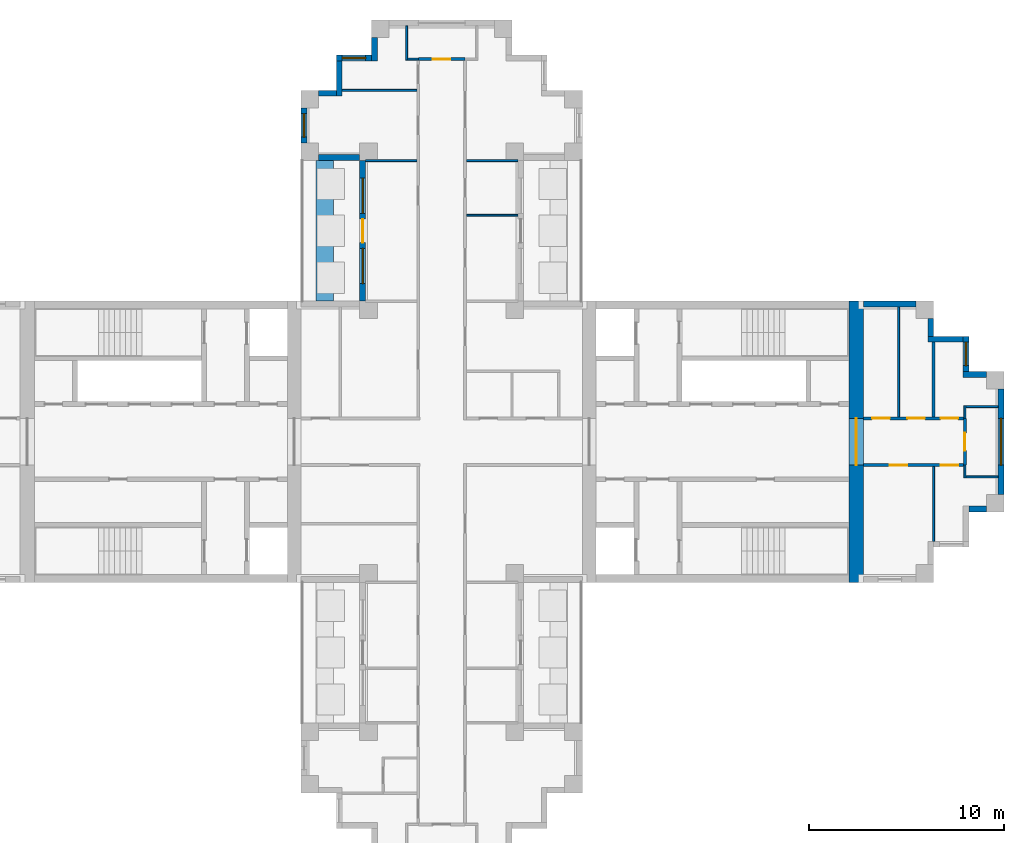
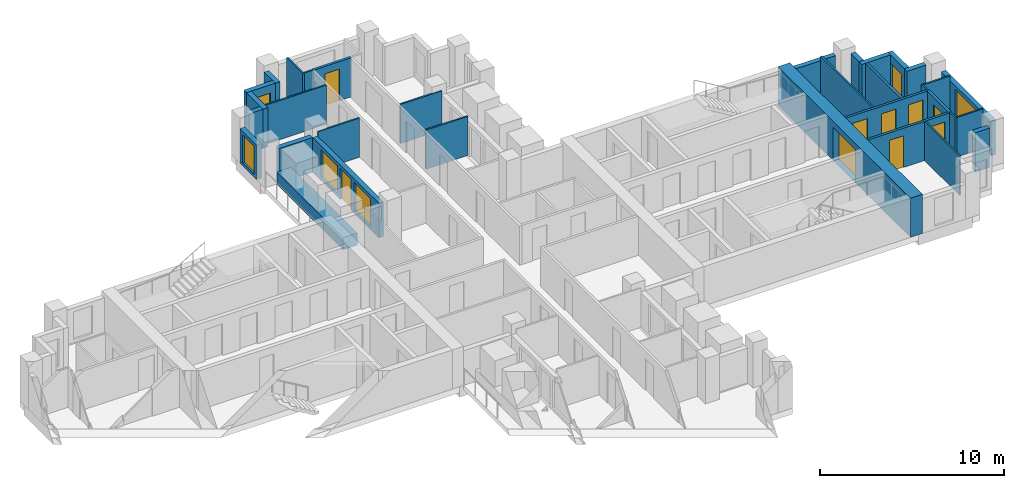
# One storey, part 6 of 9: 33 walls, 9 doors, 6 windows, 15 openings.
"""IFC4 building model written with IfcOpenShell, lengths in metres."""

from ifc_helpers import new_model, si_unit, direction, frame, frame_2d, origin, place, context, subcontext, project, spatial, rectangle, extrude, material, layer, layer_set, type_object, element, fill, save


model = new_model("IFC4")

# Units and contexts
model_context = context("Model", 3, precision=1e-05, world=origin(), true_north=direction((0.0, 1.0)))
body_context = subcontext(model_context, "Body", "Model", "MODEL_VIEW")
ifc_project = project(units=[si_unit("LENGTHUNIT", "METRE"), si_unit("AREAUNIT", "SQUARE_METRE"), si_unit("VOLUMEUNIT", "CUBIC_METRE"), si_unit("PLANEANGLEUNIT", "RADIAN"), si_unit("MASSUNIT", "GRAM", prefix="KILO")], contexts=[model_context])

# Site, building, storey
site_placement = place(None, origin())
site = spatial("IfcSite", under=ifc_project, at=site_placement, CompositionType="ELEMENT")
building_placement = place(site_placement, origin())
building = spatial("IfcBuilding", under=site, at=building_placement, Name="Fustian Cross Tower", CompositionType="ELEMENT")
storey_placement = place(building_placement, frame((0.0, 0.0, 216.89990234375)))
storey = spatial("IfcBuildingStorey", under=building, at=storey_placement, Name="L68", CompositionType="ELEMENT", Elevation=216.89990234375)

# Wall, opening, door
ifc_material_1 = material(Name="Plasterboard on steel stud", Category="steel")
ifc_layer_1 = layer(ifc_material_1, 0.14990234375)
ifc_layer_set_1 = layer_set([ifc_layer_1], Name="Plasterboard on steel stud")
wall_type_1 = type_object("IfcWallType", Name="COMPARTMENT WALL 150 EI 60", PredefinedType="PARTITIONING", material=ifc_layer_set_1)
wall_1_placement = place(storey_placement, frame((-1.199951171875, 19.60009765625, 0.0), z_axis=(0.0, 0.0, 1.0), x_axis=(1.0, 0.0, 0.0)))
wall_1 = element("IfcWall", 1, at=wall_1_placement, inside=storey, type_object=wall_type_1, Name="Partition 32", PredefinedType="PARTITIONING", context=body_context, shape_type="SweptSolid", body=[
    extrude(rectangle(XDim=2.39990234375, YDim=0.14990234375, at=frame_2d((1.199951171875, 0.0))), origin(), (0.0, 0.0, 1.0), 2.60009765625),
])
opening_1_placement = place(wall_1_placement, frame((0.75, 0.0, 0.0)))
opening_1 = element("IfcOpeningElement", 2, at=opening_1_placement, cuts=wall_1, Name="Opening D31015", PredefinedType="OPENING", context=body_context, shape_type="SweptSolid", body=[
    extrude(rectangle(XDim=0.89990234375, YDim=2.10009765625, at=frame_2d((0.449951171875, 1.050048828125))), frame((0.0, 0.0849609375, 0.0), z_axis=(0.0, -1.0, 0.0), x_axis=(1.0, 0.0, 0.0)), (0.0, 0.0, 1.0), 0.169921875),
])
ifc_material_2 = material(Name="Timber fire door set", Category="wood")
door_type_1 = type_object("IfcDoorType", Name="FIRE SWING DOOR 900 FD30S", OperationType="SINGLE_SWING_LEFT", PredefinedType="DOOR", material=ifc_material_2)
door_1_placement = place(opening_1_placement, origin())
door_1 = element("IfcDoor", 3, at=door_1_placement, inside=storey, type_object=door_type_1, Name="Door D31015", OperationType="SINGLE_SWING_LEFT", OverallHeight=2.10009765625, OverallWidth=0.89990234375, PredefinedType="DOOR", context=body_context, shape_type="SweptSolid", body=[
    extrude(rectangle(XDim=0.89990234375, YDim=2.10009765625, at=frame_2d((0.449951171875, 1.050048828125))), frame((0.0, 0.02490234375, 0.0), z_axis=(0.0, -1.0, 0.0), x_axis=(1.0, 0.0, 0.0)), (0.0, 0.0, 1.0), 0.050048828125),
])
fill(opening_1, door_1)

# Wall, openings, doors
wall_2_placement = place(storey_placement, frame((21.60009765625, -1.199951171875, 0.0), z_axis=(0.0, 0.0, 1.0), x_axis=(1.0, 0.0, 0.0)))
wall_2 = element("IfcWall", 4, at=wall_2_placement, inside=storey, type_object=wall_type_1, Name="Partition 50", PredefinedType="PARTITIONING", context=body_context, shape_type="SweptSolid", body=[
    extrude(rectangle(XDim=5.125, YDim=0.14990234375, at=frame_2d((2.5625, 0.0))), origin(), (0.0, 0.0, 1.0), 2.60009765625),
])
opening_2_placement = place(wall_2_placement, frame((1.35009765625, 0.0, 0.0)))
opening_2 = element("IfcOpeningElement", 5, at=opening_2_placement, cuts=wall_2, Name="Opening D31013", PredefinedType="OPENING", context=body_context, shape_type="SweptSolid", body=[
    extrude(rectangle(XDim=0.89990234375, YDim=2.10009765625, at=frame_2d((0.449951171875, 1.050048828125))), frame((0.0, 0.0849609375, 0.0), z_axis=(0.0, -1.0, 0.0), x_axis=(1.0, 0.0, 0.0)), (0.0, 0.0, 1.0), 0.169921875),
])
opening_3_placement = place(wall_2_placement, frame((3.949951171875, 0.0, 0.0)))
opening_3 = element("IfcOpeningElement", 6, at=opening_3_placement, cuts=wall_2, Name="Opening D31014", PredefinedType="OPENING", context=body_context, shape_type="SweptSolid", body=[
    extrude(rectangle(XDim=0.89990234375, YDim=2.10009765625, at=frame_2d((0.449951171875, 1.050048828125))), frame((0.0, 0.0849609375, 0.0), z_axis=(0.0, -1.0, 0.0), x_axis=(1.0, 0.0, 0.0)), (0.0, 0.0, 1.0), 0.169921875),
])
door_2_placement = place(opening_2_placement, frame((0.89990234375, 0.0, 0.0), z_axis=(0.0, 0.0, 1.0), x_axis=(-1.0, 0.0, 0.0)))
door_2 = element("IfcDoor", 7, at=door_2_placement, inside=storey, type_object=door_type_1, Name="Door D31013", OperationType="SINGLE_SWING_RIGHT", OverallHeight=2.10009765625, OverallWidth=0.89990234375, PredefinedType="DOOR", context=body_context, shape_type="SweptSolid", body=[
    extrude(rectangle(XDim=0.89990234375, YDim=2.10009765625, at=frame_2d((0.449951171875, 1.050048828125))), frame((0.0, 0.02490234375, 0.0), z_axis=(0.0, -1.0, 0.0), x_axis=(1.0, 0.0, 0.0)), (0.0, 0.0, 1.0), 0.050048828125),
])
fill(opening_2, door_2)
door_3_placement = place(opening_3_placement, frame((0.89990234375, 0.0, 0.0), z_axis=(0.0, 0.0, 1.0), x_axis=(-1.0, 0.0, 0.0)))
door_3 = element("IfcDoor", 8, at=door_3_placement, inside=storey, type_object=door_type_1, Name="Door D31014", OperationType="SINGLE_SWING_RIGHT", OverallHeight=2.10009765625, OverallWidth=0.89990234375, PredefinedType="DOOR", context=body_context, shape_type="SweptSolid", body=[
    extrude(rectangle(XDim=0.89990234375, YDim=2.10009765625, at=frame_2d((0.449951171875, 1.050048828125))), frame((0.0, 0.02490234375, 0.0), z_axis=(0.0, -1.0, 0.0), x_axis=(1.0, 0.0, 0.0)), (0.0, 0.0, 1.0), 0.050048828125),
])
fill(opening_3, door_3)

wall_3_placement = place(storey_placement, frame((21.60009765625, 1.199951171875, 0.0), z_axis=(0.0, 0.0, 1.0), x_axis=(1.0, 0.0, 0.0)))
wall_3 = element("IfcWall", 9, at=wall_3_placement, inside=storey, type_object=wall_type_1, Name="Partition 51", PredefinedType="PARTITIONING", context=body_context, shape_type="SweptSolid", body=[
    extrude(rectangle(XDim=5.125, YDim=0.14990234375, at=frame_2d((2.5625, 0.0))), origin(), (0.0, 0.0, 1.0), 2.60009765625),
])
opening_4_placement = place(wall_3_placement, frame((0.449951171875, 0.0, 0.0)))
opening_4 = element("IfcOpeningElement", 10, at=opening_4_placement, cuts=wall_3, Name="Opening D31010", PredefinedType="OPENING", context=body_context, shape_type="SweptSolid", body=[
    extrude(rectangle(XDim=0.89990234375, YDim=2.10009765625, at=frame_2d((0.449951171875, 1.050048828125))), frame((0.0, 0.0849609375, 0.0), z_axis=(0.0, -1.0, 0.0), x_axis=(1.0, 0.0, 0.0)), (0.0, 0.0, 1.0), 0.169921875),
])
opening_5_placement = place(wall_3_placement, frame((2.25, 0.0, 0.0)))
opening_5 = element("IfcOpeningElement", 11, at=opening_5_placement, cuts=wall_3, Name="Opening D31011", PredefinedType="OPENING", context=body_context, shape_type="SweptSolid", body=[
    extrude(rectangle(XDim=0.89990234375, YDim=2.10009765625, at=frame_2d((0.449951171875, 1.050048828125))), frame((0.0, 0.0849609375, 0.0), z_axis=(0.0, -1.0, 0.0), x_axis=(1.0, 0.0, 0.0)), (0.0, 0.0, 1.0), 0.169921875),
])
opening_6_placement = place(wall_3_placement, frame((3.949951171875, 0.0, 0.0)))
opening_6 = element("IfcOpeningElement", 12, at=opening_6_placement, cuts=wall_3, Name="Opening D31012", PredefinedType="OPENING", context=body_context, shape_type="SweptSolid", body=[
    extrude(rectangle(XDim=0.89990234375, YDim=2.10009765625, at=frame_2d((0.449951171875, 1.050048828125))), frame((0.0, 0.0849609375, 0.0), z_axis=(0.0, -1.0, 0.0), x_axis=(1.0, 0.0, 0.0)), (0.0, 0.0, 1.0), 0.169921875),
])
door_4_placement = place(opening_4_placement, origin())
door_4 = element("IfcDoor", 13, at=door_4_placement, inside=storey, type_object=door_type_1, Name="Door D31010", OperationType="SINGLE_SWING_RIGHT", OverallHeight=2.10009765625, OverallWidth=0.89990234375, PredefinedType="DOOR", context=body_context, shape_type="SweptSolid", body=[
    extrude(rectangle(XDim=0.89990234375, YDim=2.10009765625, at=frame_2d((0.449951171875, 1.050048828125))), frame((0.0, 0.02490234375, 0.0), z_axis=(0.0, -1.0, 0.0), x_axis=(1.0, 0.0, 0.0)), (0.0, 0.0, 1.0), 0.050048828125),
])
fill(opening_4, door_4)
door_5_placement = place(opening_5_placement, origin())
door_5 = element("IfcDoor", 14, at=door_5_placement, inside=storey, type_object=door_type_1, Name="Door D31011", OperationType="SINGLE_SWING_RIGHT", OverallHeight=2.10009765625, OverallWidth=0.89990234375, PredefinedType="DOOR", context=body_context, shape_type="SweptSolid", body=[
    extrude(rectangle(XDim=0.89990234375, YDim=2.10009765625, at=frame_2d((0.449951171875, 1.050048828125))), frame((0.0, 0.02490234375, 0.0), z_axis=(0.0, -1.0, 0.0), x_axis=(1.0, 0.0, 0.0)), (0.0, 0.0, 1.0), 0.050048828125),
])
fill(opening_5, door_5)
door_6_placement = place(opening_6_placement, origin())
door_6 = element("IfcDoor", 15, at=door_6_placement, inside=storey, type_object=door_type_1, Name="Door D31012", OperationType="SINGLE_SWING_LEFT", OverallHeight=2.10009765625, OverallWidth=0.89990234375, PredefinedType="DOOR", context=body_context, shape_type="SweptSolid", body=[
    extrude(rectangle(XDim=0.89990234375, YDim=2.10009765625, at=frame_2d((0.449951171875, 1.050048828125))), frame((0.0, 0.02490234375, 0.0), z_axis=(0.0, -1.0, 0.0), x_axis=(1.0, 0.0, 0.0)), (0.0, 0.0, 1.0), 0.050048828125),
])
fill(opening_6, door_6)

# Wall
wall_4_placement = place(storey_placement, frame((25.199951171875, 1.27490234375, 0.0), z_axis=(0.0, 0.0, 1.0), x_axis=(0.0, 1.0, 0.0)))
element("IfcWall", 16, at=wall_4_placement, inside=storey, type_object=wall_type_1, Name="Partition 54", PredefinedType="PARTITIONING", context=body_context, shape_type="SweptSolid", body=[
    extrude(rectangle(XDim=3.8251953125, YDim=0.14990234375, at=frame_2d((1.91259765625, 0.0))), origin(), (0.0, 0.0, 1.0), 2.60009765625),
])

# Wall, opening, door
wall_5_placement = place(storey_placement, frame((26.800048828125, -1.199951171875, 0.0), z_axis=(0.0, 0.0, 1.0), x_axis=(0.0, 1.0, 0.0)))
wall_5 = element("IfcWall", 17, at=wall_5_placement, inside=storey, type_object=wall_type_1, Name="Partition 57", PredefinedType="PARTITIONING", context=body_context, shape_type="SweptSolid", body=[
    extrude(rectangle(XDim=2.39990234375, YDim=0.14990234375, at=frame_2d((1.199951171875, 0.0))), origin(), (0.0, 0.0, 1.0), 2.60009765625),
])
opening_7_placement = place(wall_5_placement, frame((0.75, 0.0, 0.0)))
opening_7 = element("IfcOpeningElement", 18, at=opening_7_placement, cuts=wall_5, Name="Opening D31009", PredefinedType="OPENING", context=body_context, shape_type="SweptSolid", body=[
    extrude(rectangle(XDim=0.89990234375, YDim=2.10009765625, at=frame_2d((0.449951171875, 1.050048828125))), frame((0.0, 0.0849609375, 0.0), z_axis=(0.0, -1.0, 0.0), x_axis=(1.0, 0.0, 0.0)), (0.0, 0.0, 1.0), 0.169921875),
])
door_7_placement = place(opening_7_placement, frame((0.89990234375, 0.0, 0.0), z_axis=(0.0, 0.0, 1.0), x_axis=(-1.0, 0.0, 0.0)))
door_7 = element("IfcDoor", 19, at=door_7_placement, inside=storey, type_object=door_type_1, Name="Door D31009", OperationType="SINGLE_SWING_RIGHT", OverallHeight=2.10009765625, OverallWidth=0.89990234375, PredefinedType="DOOR", context=body_context, shape_type="SweptSolid", body=[
    extrude(rectangle(XDim=0.89990234375, YDim=2.10009765625, at=frame_2d((0.449951171875, 1.050048828125))), frame((0.0, 0.02490234375, 0.0), z_axis=(0.0, -1.0, 0.0), x_axis=(1.0, 0.0, 0.0)), (0.0, 0.0, 1.0), 0.050048828125),
])
fill(opening_7, door_7)

ifc_material_3 = material(Name="Concrete C50/60", Category="concrete")
ifc_layer_2 = layer(ifc_material_3, 0.75)
ifc_layer_set_2 = layer_set([ifc_layer_2], Name="Concrete C50/60")
wall_type_2 = type_object("IfcWallType", Name="CORE END WALL 750 C50/60", PredefinedType="SHEAR", material=ifc_layer_set_2)
wall_6_placement = place(storey_placement, frame((21.22509765625, -7.199951171875, 0.0), z_axis=(0.0, 0.0, 1.0), x_axis=(0.0, 1.0, 0.0)))
wall_6 = element("IfcWall", 20, at=wall_6_placement, inside=storey, type_object=wall_type_2, Name="Core end wall", PredefinedType="SHEAR", context=body_context, shape_type="SweptSolid", body=[
    extrude(rectangle(XDim=14.39990234375, YDim=0.75, at=frame_2d((7.199951171875, 0.0))), origin(), (0.0, 0.0, 1.0), 2.60009765625),
])
opening_8_placement = place(wall_6_placement, frame((6.0, 0.0, 0.0)))
opening_8 = element("IfcOpeningElement", 21, at=opening_8_placement, cuts=wall_6, Name="Opening CD-29-13", PredefinedType="OPENING", context=body_context, shape_type="SweptSolid", body=[
    extrude(rectangle(XDim=2.39990234375, YDim=2.199951171875, at=frame_2d((1.199951171875, 1.10009765625))), frame((0.0, 0.385009765625, 0.0), z_axis=(0.0, -1.0, 0.0), x_axis=(1.0, 0.0, 0.0)), (0.0, 0.0, 1.0), 0.77001953125),
])
ifc_material_4 = material(Name="Steel", Category="steel")
door_type_2 = type_object("IfcDoorType", Name="FIRE DOOR FD30S DOUBLE 2400X2200", OperationType="DOUBLE_DOOR_DOUBLE_SWING", PredefinedType="DOOR", material=ifc_material_4)
door_8_placement = place(opening_8_placement, origin())
door_8 = element("IfcDoor", 22, at=door_8_placement, inside=storey, type_object=door_type_2, Name="Core door CD-29-13", OperationType="DOUBLE_DOOR_DOUBLE_SWING", OverallHeight=2.199951171875, OverallWidth=2.39990234375, PredefinedType="DOOR", context=body_context, shape_type="SweptSolid", body=[
    extrude(rectangle(XDim=2.39990234375, YDim=2.199951171875, at=frame_2d((1.199951171875, 1.10009765625))), frame((0.0, 0.02490234375, 0.0), z_axis=(0.0, -1.0, 0.0), x_axis=(1.0, 0.0, 0.0)), (0.0, 0.0, 1.0), 0.050048828125),
])
fill(opening_8, door_8)

# Walls
ifc_material_5 = material(Name="Plasterboard on steel stud", Category="steel")
ifc_layer_3 = layer(ifc_material_5, 0.10009765625)
ifc_layer_set_3 = layer_set([ifc_layer_3], Name="Plasterboard on steel stud")
wall_type_3 = type_object("IfcWallType", Name="PARTITION 100 STUD", PredefinedType="PARTITIONING", material=ifc_layer_set_3)
wall_7_placement = place(storey_placement, frame((-5.10009765625, 18.0, 0.0), z_axis=(0.0, 0.0, 1.0), x_axis=(1.0, 0.0, 0.0)))
element("IfcWall", 23, at=wall_7_placement, inside=storey, type_object=wall_type_3, Name="Partition 16", PredefinedType="PARTITIONING", context=body_context, shape_type="SweptSolid", body=[
    extrude(rectangle(XDim=3.8251953125, YDim=0.10009765625, at=frame_2d((1.91259765625, 0.0))), origin(), (0.0, 0.0, 1.0), 2.60009765625),
])
wall_8_placement = place(storey_placement, frame((-3.89990234375, 14.39990234375, 0.0), z_axis=(0.0, 0.0, 1.0), x_axis=(1.0, 0.0, 0.0)))
element("IfcWall", 24, at=wall_8_placement, inside=storey, type_object=wall_type_3, Name="Partition 21", PredefinedType="PARTITIONING", context=body_context, shape_type="SweptSolid", body=[
    extrude(rectangle(XDim=2.625, YDim=0.10009765625, at=frame_2d((1.3125, 0.0))), origin(), (0.0, 0.0, 1.0), 2.60009765625),
])
wall_9_placement = place(storey_placement, frame((-1.800048828125, 19.550048828125, 0.0), z_axis=(0.0, 0.0, 1.0), x_axis=(0.0, 1.0, 0.0)))
element("IfcWall", 25, at=wall_9_placement, inside=storey, type_object=wall_type_3, Name="Partition 27", PredefinedType="PARTITIONING", context=body_context, shape_type="SweptSolid", body=[
    extrude(rectangle(XDim=1.75, YDim=0.10009765625, at=frame_2d((0.875, 0.0))), origin(), (0.0, 0.0, 1.0), 2.60009765625),
])
wall_10_placement = place(storey_placement, frame((-1.75, 19.60009765625, 0.0), z_axis=(0.0, 0.0, 1.0), x_axis=(1.0, 0.0, 0.0)))
element("IfcWall", 26, at=wall_10_placement, inside=storey, type_object=wall_type_3, Name="Partition 28", PredefinedType="PARTITIONING", context=body_context, shape_type="SweptSolid", body=[
    extrude(rectangle(XDim=0.550048828125, YDim=0.10009765625, at=frame_2d((0.27490234375, 0.0))), origin(), (0.0, 0.0, 1.0), 2.60009765625),
])
for number, where, z_axis, x_axis, name in (
    (27, (1.27490234375, 11.60009765625, 0.0), (0.0, 0.0, 1.0), (1.0, 0.0, 0.0), "Partition 43"),
    (28, (1.27490234375, 14.39990234375, 0.0), (0.0, 0.0, 1.0), (1.0, 0.0, 0.0), "Partition 44"),
):
    element("IfcWall", number, at=place(storey_placement, frame(where, z_axis=z_axis, x_axis=x_axis)), inside=storey, type_object=wall_type_3, Name=name, PredefinedType="PARTITIONING", context=body_context, shape_type="SweptSolid", body=[
        extrude(rectangle(XDim=2.625, YDim=0.10009765625, at=frame_2d((1.3125, 0.0))), origin(), (0.0, 0.0, 1.0), 2.60009765625),
    ])
wall_11_placement = place(storey_placement, frame((23.39990234375, 1.27490234375, 0.0), z_axis=(0.0, 0.0, 1.0), x_axis=(0.0, 1.0, 0.0)))
element("IfcWall", 29, at=wall_11_placement, inside=storey, type_object=wall_type_3, Name="Partition 52", PredefinedType="PARTITIONING", context=body_context, shape_type="SweptSolid", body=[
    extrude(rectangle(XDim=5.625, YDim=0.10009765625, at=frame_2d((2.8125, 0.0))), origin(), (0.0, 0.0, 1.0), 2.60009765625),
])
wall_12_placement = place(storey_placement, frame((25.199951171875, -5.10009765625, 0.0), z_axis=(0.0, 0.0, 1.0), x_axis=(0.0, 1.0, 0.0)))
element("IfcWall", 30, at=wall_12_placement, inside=storey, type_object=wall_type_3, Name="Partition 53", PredefinedType="PARTITIONING", context=body_context, shape_type="SweptSolid", body=[
    extrude(rectangle(XDim=3.8251953125, YDim=0.10009765625, at=frame_2d((1.91259765625, 0.0))), origin(), (0.0, 0.0, 1.0), 2.60009765625),
])
wall_13_placement = place(storey_placement, frame((26.800048828125, -1.85009765625, 0.0), z_axis=(0.0, 0.0, 1.0), x_axis=(0.0, 1.0, 0.0)))
element("IfcWall", 31, at=wall_13_placement, inside=storey, type_object=wall_type_3, Name="Partition 55", PredefinedType="PARTITIONING", context=body_context, shape_type="SweptSolid", body=[
    extrude(rectangle(XDim=0.650146484375, YDim=0.10009765625, at=frame_2d((0.3251953125, 0.0))), origin(), (0.0, 0.0, 1.0), 2.60009765625),
])
wall_14_placement = place(storey_placement, frame((26.85009765625, -1.800048828125, 0.0), z_axis=(0.0, 0.0, 1.0), x_axis=(1.0, 0.0, 0.0)))
element("IfcWall", 32, at=wall_14_placement, inside=storey, type_object=wall_type_3, Name="Partition 56", PredefinedType="PARTITIONING", context=body_context, shape_type="SweptSolid", body=[
    extrude(rectangle(XDim=1.64990234375, YDim=0.10009765625, at=frame_2d((0.824951171875, 0.0))), origin(), (0.0, 0.0, 1.0), 2.60009765625),
])
wall_15_placement = place(storey_placement, frame((26.800048828125, 1.199951171875, 0.0), z_axis=(0.0, 0.0, 1.0), x_axis=(0.0, 1.0, 0.0)))
element("IfcWall", 33, at=wall_15_placement, inside=storey, type_object=wall_type_3, Name="Partition 58", PredefinedType="PARTITIONING", context=body_context, shape_type="SweptSolid", body=[
    extrude(rectangle(XDim=0.650146484375, YDim=0.10009765625, at=frame_2d((0.3251953125, 0.0))), origin(), (0.0, 0.0, 1.0), 2.60009765625),
])
wall_16_placement = place(storey_placement, frame((26.85009765625, 1.800048828125, 0.0), z_axis=(0.0, 0.0, 1.0), x_axis=(1.0, 0.0, 0.0)))
element("IfcWall", 34, at=wall_16_placement, inside=storey, type_object=wall_type_3, Name="Partition 59", PredefinedType="PARTITIONING", context=body_context, shape_type="SweptSolid", body=[
    extrude(rectangle(XDim=1.64990234375, YDim=0.10009765625, at=frame_2d((0.824951171875, 0.0))), origin(), (0.0, 0.0, 1.0), 2.60009765625),
])
ifc_material_6 = material(Name="Concrete C40/50", Category="concrete")
ifc_layer_4 = layer(ifc_material_6, 0.89990234375)
ifc_layer_set_4 = layer_set([ifc_layer_4], Name="Concrete C40/50")
wall_type_4 = type_object("IfcWallType", Name="PK1 PLANTER 900", PredefinedType="PARAPET", material=ifc_layer_set_4)
wall_17_placement = place(storey_placement, frame((-6.0, 7.199951171875, 0.0), z_axis=(0.0, 0.0, 1.0), x_axis=(0.0, 1.0, 0.0)))
element("IfcWall", 35, at=wall_17_placement, inside=storey, type_object=wall_type_4, Name="PLANTER", PredefinedType="PARAPET", context=body_context, shape_type="SweptSolid", body=[
    extrude(rectangle(XDim=7.199951171875, YDim=0.89990234375, at=frame_2d((3.60009765625, 0.0))), origin(), (0.0, 0.0, 1.0), 0.800048828125),
])
ifc_material_7 = material(Name="Dark aluminium cladding on insulated backing wall", Category="aluminium")
ifc_layer_5 = layer(ifc_material_7, 0.300048828125)
ifc_layer_set_5 = layer_set([ifc_layer_5], Name="Dark aluminium cladding on insulated backing wall")
wall_type_5 = type_object("IfcWallType", Name="XW1 EXTERNAL WALL 300", PredefinedType="SOLIDWALL", material=ifc_layer_set_5)
wall_18_placement = place(storey_placement, frame((27.0, -3.449951171875, 0.0), z_axis=(0.0, 0.0, 1.0), x_axis=(1.0, 0.0, 0.0)))
element("IfcWall", 36, at=wall_18_placement, inside=storey, type_object=wall_type_5, Name="External wall", PredefinedType="SOLIDWALL", context=body_context, shape_type="SweptSolid", body=[
    extrude(rectangle(XDim=0.89990234375, YDim=0.300048828125, at=frame_2d((0.449951171875, 0.0))), origin(), (0.0, 0.0, 1.0), 2.60009765625),
])

# Wall, opening, window
wall_19_placement = place(storey_placement, frame((28.64990234375, -2.699951171875, 0.0), z_axis=(0.0, 0.0, 1.0), x_axis=(0.0, 1.0, 0.0)))
wall_19 = element("IfcWall", 37, at=wall_19_placement, inside=storey, type_object=wall_type_5, Name="External wall", PredefinedType="SOLIDWALL", context=body_context, shape_type="SweptSolid", body=[
    extrude(rectangle(XDim=5.39990234375, YDim=0.300048828125, at=frame_2d((2.699951171875, 0.0))), origin(), (0.0, 0.0, 1.0), 2.300048828125),
])
opening_9_placement = place(wall_19_placement, frame((1.5, 0.0, 0.199951171875)))
opening_9 = element("IfcOpeningElement", 38, at=opening_9_placement, cuts=wall_19, Name="Opening WN1", PredefinedType="OPENING", context=body_context, shape_type="SweptSolid", body=[
    extrude(rectangle(XDim=2.39990234375, YDim=1.85009765625, at=frame_2d((1.199951171875, 0.925048828125))), frame((0.0, 0.159912109375, 0.0), z_axis=(0.0, -1.0, 0.0), x_axis=(1.0, 0.0, 0.0)), (0.0, 0.0, 1.0), 0.320068359375),
])
ifc_material_8 = material(Name="Dark anodised aluminium and double glazing", Category="aluminium")
window_type_1 = type_object("IfcWindowType", Name="WN1 WINDOW 2400X1850", PartitioningType="SINGLE_PANEL", PredefinedType="WINDOW", material=ifc_material_8)
window_1_placement = place(opening_9_placement, origin())
window_1 = element("IfcWindow", 39, at=window_1_placement, inside=storey, type_object=window_type_1, Name="Window", OverallHeight=1.85009765625, OverallWidth=2.39990234375, PartitioningType="SINGLE_PANEL", PredefinedType="WINDOW", context=body_context, shape_type="SweptSolid", body=[
    extrude(rectangle(XDim=2.39990234375, YDim=1.85009765625, at=frame_2d((1.199951171875, 0.925048828125))), frame((0.0, 0.030029296875, 0.0), z_axis=(0.0, -1.0, 0.0), x_axis=(1.0, 0.0, 0.0)), (0.0, 0.0, 1.0), 0.06005859375),
])
fill(opening_9, window_1)

# Wall
wall_20_placement = place(storey_placement, frame((27.89990234375, 3.449951171875, 0.0), z_axis=(0.0, 0.0, 1.0), x_axis=(-1.0, 0.0, 0.0)))
element("IfcWall", 40, at=wall_20_placement, inside=storey, type_object=wall_type_5, Name="External wall", PredefinedType="SOLIDWALL", context=body_context, shape_type="SweptSolid", body=[
    extrude(rectangle(XDim=1.199951171875, YDim=0.300048828125, at=frame_2d((0.60009765625, 0.0))), origin(), (0.0, 0.0, 1.0), 2.60009765625),
])

# Wall, opening, window
wall_21_placement = place(storey_placement, frame((26.85009765625, 3.60009765625, 0.0), z_axis=(0.0, 0.0, 1.0), x_axis=(0.0, 1.0, 0.0)))
wall_21 = element("IfcWall", 41, at=wall_21_placement, inside=storey, type_object=wall_type_5, Name="External wall", PredefinedType="SOLIDWALL", context=body_context, shape_type="SweptSolid", body=[
    extrude(rectangle(XDim=1.7998046875, YDim=0.300048828125, at=frame_2d((0.89990234375, 0.0))), origin(), (0.0, 0.0, 1.0), 2.60009765625),
])
opening_10_placement = place(wall_21_placement, frame((0.300048828125, 0.0, 0.199951171875)))
opening_10 = element("IfcOpeningElement", 42, at=opening_10_placement, cuts=wall_21, Name="Opening WN3", PredefinedType="OPENING", context=body_context, shape_type="SweptSolid", body=[
    extrude(rectangle(XDim=1.199951171875, YDim=1.85009765625, at=frame_2d((0.60009765625, 0.925048828125))), frame((0.0, 0.159912109375, 0.0), z_axis=(0.0, -1.0, 0.0), x_axis=(1.0, 0.0, 0.0)), (0.0, 0.0, 1.0), 0.320068359375),
])
ifc_material_9 = material(Name="Dark anodised aluminium and double glazing", Category="aluminium")
window_type_2 = type_object("IfcWindowType", Name="WN3 WINDOW 1200X1850", PartitioningType="SINGLE_PANEL", PredefinedType="WINDOW", material=ifc_material_9)
window_2_placement = place(opening_10_placement, origin())
window_2 = element("IfcWindow", 43, at=window_2_placement, inside=storey, type_object=window_type_2, Name="Window", OverallHeight=1.85009765625, OverallWidth=1.199951171875, PartitioningType="SINGLE_PANEL", PredefinedType="WINDOW", context=body_context, shape_type="SweptSolid", body=[
    extrude(rectangle(XDim=1.199951171875, YDim=1.85009765625, at=frame_2d((0.60009765625, 0.925048828125))), frame((0.0, 0.030029296875, 0.0), z_axis=(0.0, -1.0, 0.0), x_axis=(1.0, 0.0, 0.0)), (0.0, 0.0, 1.0), 0.06005859375),
])
fill(opening_10, window_2)

# Walls
wall_22_placement = place(storey_placement, frame((26.699951171875, 5.25, 0.0), z_axis=(0.0, 0.0, 1.0), x_axis=(-1.0, 0.0, 0.0)))
element("IfcWall", 44, at=wall_22_placement, inside=storey, type_object=wall_type_5, Name="External wall", PredefinedType="SOLIDWALL", context=body_context, shape_type="SweptSolid", body=[
    extrude(rectangle(XDim=1.800048828125, YDim=0.300048828125, at=frame_2d((0.89990234375, 0.0))), origin(), (0.0, 0.0, 1.0), 2.60009765625),
])
wall_23_placement = place(storey_placement, frame((25.050048828125, 5.39990234375, 0.0), z_axis=(0.0, 0.0, 1.0), x_axis=(0.0, 1.0, 0.0)))
element("IfcWall", 45, at=wall_23_placement, inside=storey, type_object=wall_type_5, Name="External wall", PredefinedType="SOLIDWALL", context=body_context, shape_type="SweptSolid", body=[
    extrude(rectangle(XDim=0.900146484375, YDim=0.300048828125, at=frame_2d((0.4501953125, 0.0))), origin(), (0.0, 0.0, 1.0), 2.60009765625),
])
wall_24_placement = place(storey_placement, frame((24.300048828125, 7.050048828125, 0.0), z_axis=(0.0, 0.0, 1.0), x_axis=(-1.0, 0.0, 0.0)))
element("IfcWall", 46, at=wall_24_placement, inside=storey, type_object=wall_type_5, Name="External wall", PredefinedType="SOLIDWALL", context=body_context, shape_type="SweptSolid", body=[
    extrude(rectangle(XDim=2.699951171875, YDim=0.300048828125, at=frame_2d((1.35009765625, 0.0))), origin(), (0.0, 0.0, 1.0), 2.300048828125),
])
wall_25_placement = place(storey_placement, frame((-3.449951171875, 20.699951171875, 0.0), z_axis=(0.0, 0.0, 1.0), x_axis=(0.0, -1.0, 0.0)))
element("IfcWall", 47, at=wall_25_placement, inside=storey, type_object=wall_type_5, Name="External wall", PredefinedType="SOLIDWALL", context=body_context, shape_type="SweptSolid", body=[
    extrude(rectangle(XDim=1.199951171875, YDim=0.300048828125, at=frame_2d((0.60009765625, 0.0))), origin(), (0.0, 0.0, 1.0), 2.60009765625),
])

# Wall, opening, window
wall_26_placement = place(storey_placement, frame((-3.60009765625, 19.64990234375, 0.0), z_axis=(0.0, 0.0, 1.0), x_axis=(-1.0, 0.0, 0.0)))
wall_26 = element("IfcWall", 48, at=wall_26_placement, inside=storey, type_object=wall_type_5, Name="External wall", PredefinedType="SOLIDWALL", context=body_context, shape_type="SweptSolid", body=[
    extrude(rectangle(XDim=1.7998046875, YDim=0.300048828125, at=frame_2d((0.89990234375, 0.0))), origin(), (0.0, 0.0, 1.0), 2.60009765625),
])
opening_11_placement = place(wall_26_placement, frame((0.300048828125, 0.0, 0.199951171875)))
opening_11 = element("IfcOpeningElement", 49, at=opening_11_placement, cuts=wall_26, Name="Opening WN3", PredefinedType="OPENING", context=body_context, shape_type="SweptSolid", body=[
    extrude(rectangle(XDim=1.199951171875, YDim=1.85009765625, at=frame_2d((0.60009765625, 0.925048828125))), frame((0.0, 0.159912109375, 0.0), z_axis=(0.0, -1.0, 0.0), x_axis=(1.0, 0.0, 0.0)), (0.0, 0.0, 1.0), 0.320068359375),
])
window_3_placement = place(opening_11_placement, origin())
window_3 = element("IfcWindow", 50, at=window_3_placement, inside=storey, type_object=window_type_2, Name="Window", OverallHeight=1.85009765625, OverallWidth=1.199951171875, PartitioningType="SINGLE_PANEL", PredefinedType="WINDOW", context=body_context, shape_type="SweptSolid", body=[
    extrude(rectangle(XDim=1.199951171875, YDim=1.85009765625, at=frame_2d((0.60009765625, 0.925048828125))), frame((0.0, 0.030029296875, 0.0), z_axis=(0.0, -1.0, 0.0), x_axis=(1.0, 0.0, 0.0)), (0.0, 0.0, 1.0), 0.06005859375),
])
fill(opening_11, window_3)

# Walls
wall_27_placement = place(storey_placement, frame((-5.25, 19.5, 0.0), z_axis=(0.0, 0.0, 1.0), x_axis=(0.0, -1.0, 0.0)))
element("IfcWall", 51, at=wall_27_placement, inside=storey, type_object=wall_type_5, Name="External wall", PredefinedType="SOLIDWALL", context=body_context, shape_type="SweptSolid", body=[
    extrude(rectangle(XDim=1.800048828125, YDim=0.300048828125, at=frame_2d((0.89990234375, 0.0))), origin(), (0.0, 0.0, 1.0), 2.60009765625),
])
wall_28_placement = place(storey_placement, frame((-5.39990234375, 17.85009765625, 0.0), z_axis=(0.0, 0.0, 1.0), x_axis=(-1.0, 0.0, 0.0)))
element("IfcWall", 52, at=wall_28_placement, inside=storey, type_object=wall_type_5, Name="External wall", PredefinedType="SOLIDWALL", context=body_context, shape_type="SweptSolid", body=[
    extrude(rectangle(XDim=0.900146484375, YDim=0.300048828125, at=frame_2d((0.4501953125, 0.0))), origin(), (0.0, 0.0, 1.0), 2.60009765625),
])

# Wall, opening, window
wall_29_placement = place(storey_placement, frame((-7.050048828125, 17.10009765625, 0.0), z_axis=(0.0, 0.0, 1.0), x_axis=(0.0, -1.0, 0.0)))
wall_29 = element("IfcWall", 53, at=wall_29_placement, inside=storey, type_object=wall_type_5, Name="External wall", PredefinedType="SOLIDWALL", context=body_context, shape_type="SweptSolid", body=[
    extrude(rectangle(XDim=1.800048828125, YDim=0.300048828125, at=frame_2d((0.89990234375, 0.0))), origin(), (0.0, 0.0, 1.0), 2.300048828125),
])
opening_12_placement = place(wall_29_placement, frame((0.300048828125, 0.0, 0.199951171875)))
opening_12 = element("IfcOpeningElement", 54, at=opening_12_placement, cuts=wall_29, Name="Opening WN3", PredefinedType="OPENING", context=body_context, shape_type="SweptSolid", body=[
    extrude(rectangle(XDim=1.199951171875, YDim=1.85009765625, at=frame_2d((0.60009765625, 0.925048828125))), frame((0.0, 0.159912109375, 0.0), z_axis=(0.0, -1.0, 0.0), x_axis=(1.0, 0.0, 0.0)), (0.0, 0.0, 1.0), 0.320068359375),
])
window_4_placement = place(opening_12_placement, origin())
window_4 = element("IfcWindow", 55, at=window_4_placement, inside=storey, type_object=window_type_2, Name="Window", OverallHeight=1.85009765625, OverallWidth=1.199951171875, PartitioningType="SINGLE_PANEL", PredefinedType="WINDOW", context=body_context, shape_type="SweptSolid", body=[
    extrude(rectangle(XDim=1.199951171875, YDim=1.85009765625, at=frame_2d((0.60009765625, 0.925048828125))), frame((0.0, 0.030029296875, 0.0), z_axis=(0.0, -1.0, 0.0), x_axis=(1.0, 0.0, 0.0)), (0.0, 0.0, 1.0), 0.06005859375),
])
fill(opening_12, window_4)

# Wall
wall_30_placement = place(storey_placement, frame((-6.300048828125, 14.550048828125, 0.0), z_axis=(0.0, 0.0, 1.0), x_axis=(1.0, 0.0, 0.0)))
element("IfcWall", 56, at=wall_30_placement, inside=storey, type_object=wall_type_5, Name="External wall", PredefinedType="SOLIDWALL", context=body_context, shape_type="SweptSolid", body=[
    extrude(rectangle(XDim=2.10009765625, YDim=0.300048828125, at=frame_2d((1.050048828125, 0.0))), origin(), (0.0, 0.0, 1.0), 2.300048828125),
])

# Wall, openings, door, windows
wall_31_placement = place(storey_placement, frame((-4.050048828125, 14.39990234375, 0.0), z_axis=(0.0, 0.0, 1.0), x_axis=(0.0, -1.0, 0.0)))
wall_31 = element("IfcWall", 57, at=wall_31_placement, inside=storey, type_object=wall_type_5, Name="External wall", PredefinedType="SOLIDWALL", context=body_context, shape_type="SweptSolid", body=[
    extrude(rectangle(XDim=7.199951171875, YDim=0.300048828125, at=frame_2d((3.60009765625, 0.0))), origin(), (0.0, 0.0, 1.0), 2.300048828125),
])
opening_13_placement = place(wall_31_placement, frame((3.0, 0.0, 0.0)))
opening_13 = element("IfcOpeningElement", 58, at=opening_13_placement, cuts=wall_31, Name="Opening XD2", PredefinedType="OPENING", context=body_context, shape_type="SweptSolid", body=[
    extrude(rectangle(XDim=1.199951171875, YDim=2.050048828125, at=frame_2d((0.60009765625, 1.02490234375))), frame((0.0, 0.159912109375, 0.0), z_axis=(0.0, -1.0, 0.0), x_axis=(1.0, 0.0, 0.0)), (0.0, 0.0, 1.0), 0.320068359375),
])
opening_14_placement = place(wall_31_placement, frame((0.89990234375, 0.0, 0.199951171875)))
opening_14 = element("IfcOpeningElement", 59, at=opening_14_placement, cuts=wall_31, Name="Opening WN2", PredefinedType="OPENING", context=body_context, shape_type="SweptSolid", body=[
    extrude(rectangle(XDim=1.800048828125, YDim=1.85009765625, at=frame_2d((0.89990234375, 0.925048828125))), frame((0.0, 0.159912109375, 0.0), z_axis=(0.0, -1.0, 0.0), x_axis=(1.0, 0.0, 0.0)), (0.0, 0.0, 1.0), 0.320068359375),
])
opening_15_placement = place(wall_31_placement, frame((4.5, 0.0, 0.199951171875)))
opening_15 = element("IfcOpeningElement", 60, at=opening_15_placement, cuts=wall_31, Name="Opening WN2", PredefinedType="OPENING", context=body_context, shape_type="SweptSolid", body=[
    extrude(rectangle(XDim=1.800048828125, YDim=1.85009765625, at=frame_2d((0.89990234375, 0.925048828125))), frame((0.0, 0.159912109375, 0.0), z_axis=(0.0, -1.0, 0.0), x_axis=(1.0, 0.0, 0.0)), (0.0, 0.0, 1.0), 0.320068359375),
])
ifc_material_10 = material(Name="Dark anodised aluminium and double glazing", Category="aluminium")
door_type_3 = type_object("IfcDoorType", Name="ED1 BALCONY DOOR 1200X2050", OperationType="SINGLE_SWING_LEFT", PredefinedType="DOOR", material=ifc_material_10)
door_9_placement = place(opening_13_placement, origin())
door_9 = element("IfcDoor", 61, at=door_9_placement, inside=storey, type_object=door_type_3, Name="Balcony door", OperationType="SINGLE_SWING_LEFT", OverallHeight=2.050048828125, OverallWidth=1.199951171875, PredefinedType="DOOR", context=body_context, shape_type="SweptSolid", body=[
    extrude(rectangle(XDim=1.199951171875, YDim=2.050048828125, at=frame_2d((0.60009765625, 1.02490234375))), frame((0.0, 0.02490234375, 0.0), z_axis=(0.0, -1.0, 0.0), x_axis=(1.0, 0.0, 0.0)), (0.0, 0.0, 1.0), 0.050048828125),
])
fill(opening_13, door_9)
ifc_material_11 = material(Name="Dark anodised aluminium and double glazing", Category="aluminium")
window_type_3 = type_object("IfcWindowType", Name="WN2 WINDOW 1800X1850", PartitioningType="SINGLE_PANEL", PredefinedType="WINDOW", material=ifc_material_11)
window_5_placement = place(opening_14_placement, origin())
window_5 = element("IfcWindow", 62, at=window_5_placement, inside=storey, type_object=window_type_3, Name="Window", OverallHeight=1.85009765625, OverallWidth=1.800048828125, PartitioningType="SINGLE_PANEL", PredefinedType="WINDOW", context=body_context, shape_type="SweptSolid", body=[
    extrude(rectangle(XDim=1.800048828125, YDim=1.85009765625, at=frame_2d((0.89990234375, 0.925048828125))), frame((0.0, 0.030029296875, 0.0), z_axis=(0.0, -1.0, 0.0), x_axis=(1.0, 0.0, 0.0)), (0.0, 0.0, 1.0), 0.06005859375),
])
fill(opening_14, window_5)
window_6_placement = place(opening_15_placement, origin())
window_6 = element("IfcWindow", 63, at=window_6_placement, inside=storey, type_object=window_type_3, Name="Window", OverallHeight=1.85009765625, OverallWidth=1.800048828125, PartitioningType="SINGLE_PANEL", PredefinedType="WINDOW", context=body_context, shape_type="SweptSolid", body=[
    extrude(rectangle(XDim=1.800048828125, YDim=1.85009765625, at=frame_2d((0.89990234375, 0.925048828125))), frame((0.0, 0.030029296875, 0.0), z_axis=(0.0, -1.0, 0.0), x_axis=(1.0, 0.0, 0.0)), (0.0, 0.0, 1.0), 0.06005859375),
])
fill(opening_15, window_6)

save(model, "model.ifc")
